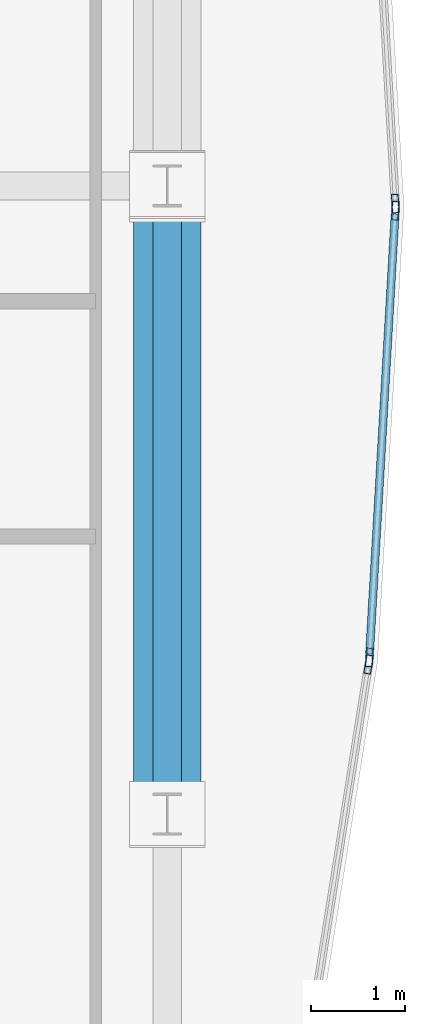
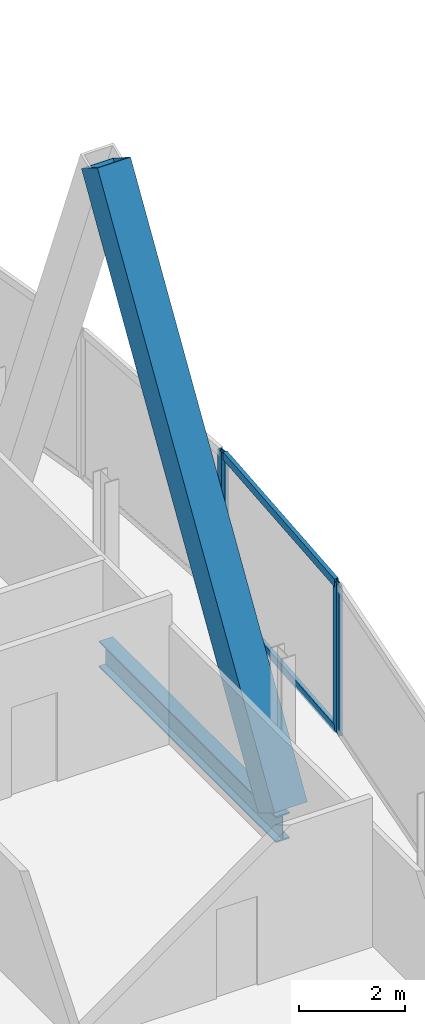
# One storey, part 19 of 33: 7 members, 1 beam, 3 elements without a shape of their own.
"""IFC4 building model written with IfcOpenShell, lengths in metres."""

from ifc_helpers import new_model, si_unit, direction, frame, origin, origin_2d, place, context, subcontext, project, spatial, hollow_rectangle, i_section, extrude, material, material_profile, profile_set, type_object, element, aggregate, save


model = new_model("IFC4")

# Units and contexts
model_context = context("Model", 3, precision=1e-05, world=origin(), true_north=direction((0.0, 1.0)))
body_context = subcontext(model_context, "Body", "Model", "MODEL_VIEW")
ifc_project = project(units=[si_unit("LENGTHUNIT", "METRE"), si_unit("AREAUNIT", "SQUARE_METRE"), si_unit("VOLUMEUNIT", "CUBIC_METRE"), si_unit("PLANEANGLEUNIT", "RADIAN"), si_unit("MASSUNIT", "GRAM", prefix="KILO")], contexts=[model_context])

# Site, building, storey
site_placement = place(None, origin())
site = spatial("IfcSite", under=ifc_project, at=site_placement, CompositionType="ELEMENT")
building_placement = place(site_placement, origin())
building = spatial("IfcBuilding", under=site, at=building_placement, Name="Khoronbel Lancet Exchange", CompositionType="ELEMENT")
storey_placement = place(building_placement, frame((0.0, 0.0, 210.199951171875)))
storey = spatial("IfcBuildingStorey", under=building, at=storey_placement, Name="L53", CompositionType="ELEMENT", Elevation=210.199951171875)

# Beam
ifc_material_1 = material(Name="Steel S355", Category="steel")
ifc_material_profile_1 = material_profile(ifc_material_1, i_section(OverallWidth=0.300048828125, OverallDepth=0.60009765625, WebThickness=0.015380859375, FlangeThickness=0.030029296875, at=origin_2d()), Name="HEB 600")
ifc_profile_set_1 = profile_set([ifc_material_profile_1], Name="Steel S355")
beam_type = type_object("IfcBeamType", Name="BM-BSP2", PredefinedType="SPANDREL", material=ifc_profile_set_1)
beam_placement = place(storey_placement, frame((65.6298828125, 24.75, -0.4599609375), z_axis=(0.0, 1.0, 0.0), x_axis=(-1.0, 0.0, 0.0)))
element("IfcBeam", 1, at=beam_placement, inside=storey, type_object=beam_type, Name="Level L53 perimeter spandrel beam SP12", PredefinedType="SPANDREL", context=body_context, shape_type="SweptSolid", body=[
    extrude(i_section(OverallWidth=0.300048828125, OverallDepth=0.60009765625, WebThickness=0.015380859375, FlangeThickness=0.030029296875, at=origin_2d()), origin(), (0.0, 0.0, 1.0), 6.675048828125),
])

# Curtain wall, member
ifc_material_2 = material(Name="Low-E Solar Control Insulating Glass", Category="glass")
curtain_wall_type = type_object("IfcCurtainWallType", Name="CW-4", PredefinedType="NOTDEFINED", material=ifc_material_2)
curtain_wall_1_placement = place(storey_placement, origin())
curtain_wall_1 = element("IfcCurtainWall", 2, at=curtain_wall_1_placement, inside=storey, type_object=curtain_wall_type, Name="Unitised curtain wall CW-L53-E19", PredefinedType="NOTDEFINED")
ifc_material_3 = material(Name="Bronze-Anodised Aluminium 6063-T6", Category="aluminium")
ifc_material_profile_2 = material_profile(ifc_material_3, hollow_rectangle(XDim=0.074951171875, YDim=0.199951171875, WallThickness=0.0048828125, at=origin_2d()), Name="ALU MULLION 75x200")
ifc_profile_set_2 = profile_set([ifc_material_profile_2], Name="Bronze-Anodised Aluminium 6063-T6")
member_type_1 = type_object("IfcMemberType", Name="MEM-CWM2", PredefinedType="MULLION", material=ifc_profile_set_2)
member_1_placement = place(storey_placement, frame((68.0537109375, 31.237548828125, 0.0), z_axis=(0.0, 0.0, 1.0), x_axis=(0.998317069101, 0.05799163338, 0.0)))
member_1 = element("IfcMember", 3, at=member_1_placement, type_object=member_type_1, Name="CW4 mullion 2", PredefinedType="MULLION", context=body_context, shape_type="SweptSolid", body=[
    extrude(hollow_rectangle(XDim=0.074951171875, YDim=0.199951171875, WallThickness=0.0048828125, at=origin_2d()), origin(), (0.0, 0.0, 1.0), 3.43994140625),
])
aggregate(curtain_wall_1, [member_1])

# Curtain wall, members
curtain_wall_2_placement = place(storey_placement, origin())
curtain_wall_2 = element("IfcCurtainWall", 4, at=curtain_wall_2_placement, inside=storey, type_object=curtain_wall_type, Name="Unitised curtain wall CW-L53-E20", PredefinedType="NOTDEFINED")
member_2_placement = place(storey_placement, frame((68.0537109375, 31.16259765625, 0.0), z_axis=(0.0, 0.0, 1.0), x_axis=(0.998317069101, -0.05799163338, 0.0)))
member_2 = element("IfcMember", 5, at=member_2_placement, type_object=member_type_1, Name="CW4 mullion 1", PredefinedType="MULLION", context=body_context, shape_type="SweptSolid", body=[
    extrude(hollow_rectangle(XDim=0.074951171875, YDim=0.199951171875, WallThickness=0.0048828125, at=origin_2d()), origin(), (0.0, 0.0, 1.0), 3.43994140625),
])
member_3_placement = place(storey_placement, frame((67.778076171875, 26.413818359375, 0.0), z_axis=(0.0, 0.0, 1.0), x_axis=(0.998317069101, -0.05799163338, 0.0)))
member_3 = element("IfcMember", 6, at=member_3_placement, type_object=member_type_1, Name="CW4 mullion 2", PredefinedType="MULLION", context=body_context, shape_type="SweptSolid", body=[
    extrude(hollow_rectangle(XDim=0.074951171875, YDim=0.199951171875, WallThickness=0.0048828125, at=origin_2d()), origin(), (0.0, 0.0, 1.0), 3.43994140625),
])

# Curtain wall, member
curtain_wall_3_placement = place(storey_placement, origin())
curtain_wall_3 = element("IfcCurtainWall", 7, at=curtain_wall_3_placement, inside=storey, type_object=curtain_wall_type, Name="Unitised curtain wall CW-L53-E21", PredefinedType="NOTDEFINED")
member_4_placement = place(storey_placement, frame((67.77001953125, 26.33935546875, 0.0), z_axis=(0.0, 0.0, 1.0), x_axis=(0.987632712105, -0.156785286236, 0.0)))
member_4 = element("IfcMember", 8, at=member_4_placement, type_object=member_type_1, Name="CW4 mullion 1", PredefinedType="MULLION", context=body_context, shape_type="SweptSolid", body=[
    extrude(hollow_rectangle(XDim=0.074951171875, YDim=0.199951171875, WallThickness=0.0048828125, at=origin_2d()), origin(), (0.0, 0.0, 1.0), 3.43994140625),
])
aggregate(curtain_wall_3, [member_4])

# Member
ifc_material_profile_3 = material_profile(ifc_material_3, hollow_rectangle(XDim=0.0849609375, YDim=0.179931640625, WallThickness=0.0048828125, at=origin_2d()), Name="ALU TRANSOM 85x180")
ifc_profile_set_3 = profile_set([ifc_material_profile_3], Name="Bronze-Anodised Aluminium 6063-T6")
member_type_2 = type_object("IfcMemberType", Name="MEM-CWT1", PredefinedType="USERDEFINED", material=ifc_profile_set_3)
member_5_placement = place(storey_placement, frame((68.0517578125, 31.125244140625, 0.04248046875), z_axis=(-0.058037291449, -0.998314415804, 0.0), x_axis=(0.998314415804, -0.058037291449, 0.0)))
member_5 = element("IfcMember", 9, at=member_5_placement, type_object=member_type_2, Name="CW4 transom 1.1", ObjectType="TRANSOM", PredefinedType="USERDEFINED", context=body_context, shape_type="SweptSolid", body=[
    extrude(hollow_rectangle(XDim=0.0849609375, YDim=0.179931640625, WallThickness=0.0048828125, at=origin_2d()), origin(), (0.0, 0.0, 1.0), 4.681884765625),
])

member_6_placement = place(storey_placement, frame((68.0517578125, 31.125244140625, 3.3974609375), z_axis=(-0.058037291449, -0.998314415804, 0.0), x_axis=(0.998314415804, -0.058037291449, 0.0)))
member_6 = element("IfcMember", 10, at=member_6_placement, type_object=member_type_2, Name="CW4 transom 1.2", ObjectType="TRANSOM", PredefinedType="USERDEFINED", context=body_context, shape_type="SweptSolid", body=[
    extrude(hollow_rectangle(XDim=0.0849609375, YDim=0.179931640625, WallThickness=0.0048828125, at=origin_2d()), origin(), (0.0, 0.0, 1.0), 4.681884765625),
])

aggregate(curtain_wall_2, [member_2, member_3, member_5, member_6])

ifc_material_4 = material(Name="Steel S460", Category="steel")
ifc_material_profile_4 = material_profile(ifc_material_4, hollow_rectangle(XDim=0.719970703125, YDim=0.719970703125, WallThickness=0.050048828125, at=origin_2d()), Name="BOX 720x720x50")
ifc_profile_set_4 = profile_set([ifc_material_profile_4], Name="Steel S460")
member_type_3 = type_object("IfcMemberType", Name="MEM-MB2", PredefinedType="BRACE", material=ifc_profile_set_4)
member_7_placement = place(storey_placement, frame((65.6298828125, 24.75, 0.0), z_axis=(0.0, 0.525745449971, 0.850641946906), x_axis=(-1.0, 0.0, 0.0)))
element("IfcMember", 11, at=member_7_placement, inside=storey, type_object=member_type_3, Name="Perimeter lancet brace tier 18 E-P-L", PredefinedType="BRACE", context=body_context, shape_type="SweptSolid", body=[
    extrude(hollow_rectangle(XDim=0.719970703125, YDim=0.719970703125, WallThickness=0.050048828125, at=origin_2d()), origin(), (0.0, 0.0, 1.0), 12.6962890625),
])

save(model, "model.ifc")
